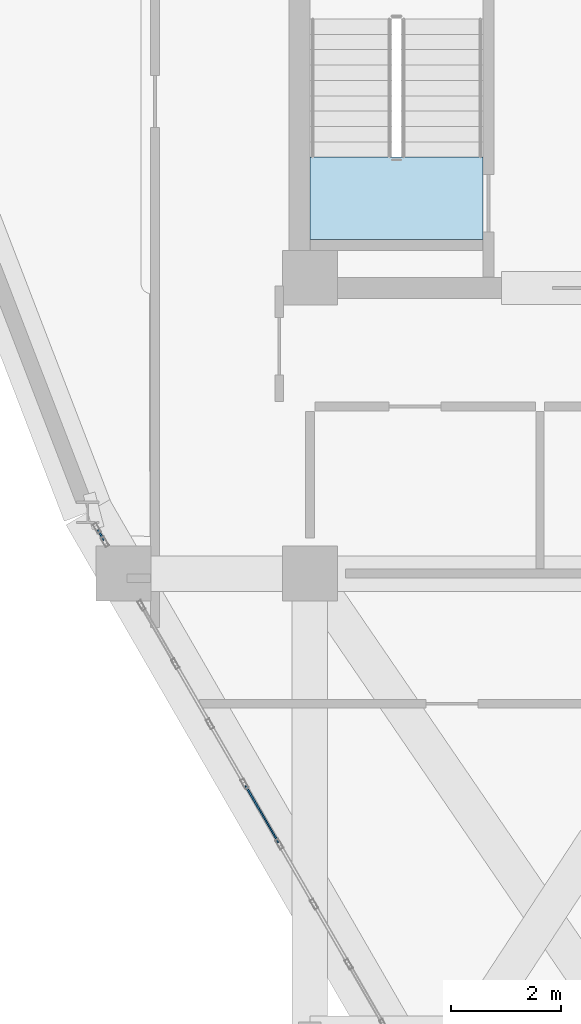
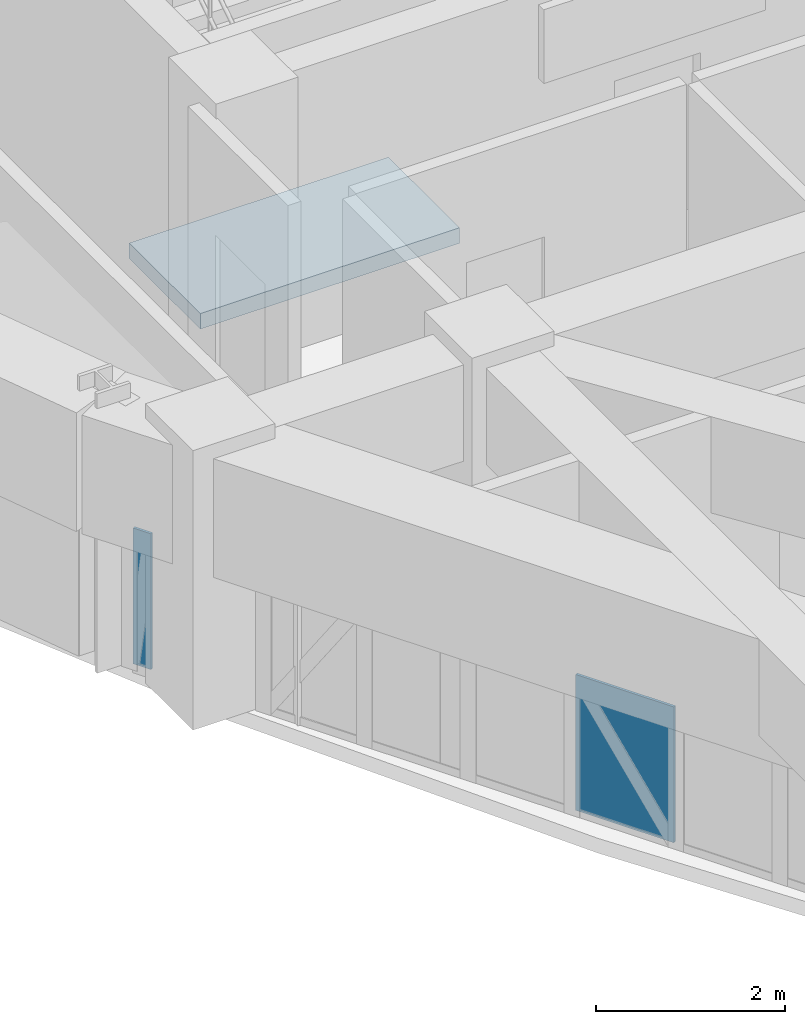
# One storey, part 12 of 16: 2 plates, 1 slab, 2 elements without a shape of their own.
"""IFC4 building model written with IfcOpenShell, lengths in metres."""

from ifc_helpers import new_model, si_unit, derived_unit, direction, frame, origin, origin_2d, place, context, subcontext, project, spatial, polyline, rectangle, outline, extrude, source, transform, mapped, material, layer, layer_set, type_object, element, aggregate, save


model = new_model("IFC4")

# Units and contexts
model_context = context("Model", 3, precision=1e-05, world=origin(), true_north=direction((0.0, 1.0)))
body_context = subcontext(model_context, "Body", "Model", "MODEL_VIEW")
ifc_project = project(units=[si_unit("LENGTHUNIT", "METRE"), si_unit("AREAUNIT", "SQUARE_METRE"), si_unit("VOLUMEUNIT", "CUBIC_METRE"), si_unit("PLANEANGLEUNIT", "RADIAN"), si_unit("MASSUNIT", "GRAM", prefix="KILO"), derived_unit("THERMALTRANSMITTANCEUNIT", [(si_unit("POWERUNIT", "WATT"), 1), (si_unit("LENGTHUNIT", "METRE"), -2), (si_unit("THERMODYNAMICTEMPERATUREUNIT", "KELVIN"), -1)])], contexts=[model_context])

# Site, building, storey
site_placement = place(None, origin())
site = spatial("IfcSite", under=ifc_project, at=site_placement, CompositionType="ELEMENT")
building_placement = place(site_placement, origin())
building = spatial("IfcBuilding", under=site, at=building_placement, Name="Korsvarv Bourse and Concert Hall", CompositionType="ELEMENT")
storey_placement = place(building_placement, frame((0.0, 0.0, 213.0)))
storey = spatial("IfcBuildingStorey", under=building, at=storey_placement, Name="L55", CompositionType="ELEMENT", Elevation=213.0)

# Slab
ifc_material_1 = material(Name="Precast concrete C45/55", Category="concrete")
ifc_layer_1 = layer(ifc_material_1, 0.199951171875)
ifc_layer_set_1 = layer_set([ifc_layer_1], Name="Precast concrete C45/55")
slab_type = type_object("IfcSlabType", Name="SLB-FLND-T", PredefinedType="LANDING", material=ifc_layer_set_1)
slab_placement = place(storey_placement, frame((0.0, 0.0, -0.199951171875)))
element("IfcSlab", 1, at=slab_placement, inside=storey, type_object=slab_type, Name="L55 Stair ST-T1 Floor Landing Slab", PredefinedType="LANDING", context=body_context, shape_type="SweptSolid", body=[
    extrude(outline(polyline([(30.760009765625, 38.5), (30.760009765625, 40.0), (27.60009765625, 40.0), (27.60009765625, 38.5), (30.760009765625, 38.5)])), origin(), (0.0, 0.0, 1.0), 0.199951171875),
])

# Curtain wall, plate
ifc_material_2 = material(Name="Anodised aluminium and triple low-E glazing", Category="glass")
ifc_layer_2 = layer(ifc_material_2, 0.199951171875)
ifc_layer_set_2 = layer_set([ifc_layer_2], Name="Anodised aluminium and triple low-E glazing")
curtain_wall_type = type_object("IfcCurtainWallType", Name="CW-SYS-3", PredefinedType="NOTDEFINED", material=ifc_layer_set_2)
curtain_wall_1_placement = place(storey_placement, origin())
curtain_wall_1 = element("IfcCurtainWall", 2, at=curtain_wall_1_placement, inside=storey, type_object=curtain_wall_type, Name="L55 CW3 curtain wall CW-L55-F07-1", PredefinedType="NOTDEFINED")
ifc_material_3 = material(Name="Insulated spandrel glass", Category="glass")
ifc_layer_3 = layer(ifc_material_3, 0.031982421875)
ifc_layer_set_3 = layer_set([ifc_layer_3], Name="Insulated spandrel glass")
plate_type = type_object("IfcPlateType", Name="CWP-SPD1", PredefinedType="CURTAIN_PANEL", material=ifc_layer_set_3)
shared_shape_1 = source(origin(), body_context, "Body", "SweptSolid", [
    extrude(rectangle(XDim=0.21826171875, YDim=0.031982421875, at=origin_2d()), origin(), (0.0, 0.0, 1.0), 1.75),
])
plate_1_placement = place(storey_placement, frame((23.786865234375, 33.105224609375, 0.06494140625), z_axis=(0.0, 0.0, 1.0), x_axis=(0.499891584645, -0.866087988372, 0.0)))
plate_1 = element("IfcPlate", 3, at=plate_1_placement, type_object=plate_type, Name="CW3 spandrel shadow-box panel 1.1", PredefinedType="CURTAIN_PANEL", context=body_context, shape_type="MappedRepresentation", body=[
    mapped(shared_shape_1, transform((0.0, 0.0, 0.0), scale=1.0)),
])
aggregate(curtain_wall_1, [plate_1])

curtain_wall_2_placement = place(storey_placement, origin())
curtain_wall_2 = element("IfcCurtainWall", 4, at=curtain_wall_2_placement, inside=storey, type_object=curtain_wall_type, Name="L55 CW3 curtain wall CW-L55-F07-2", PredefinedType="NOTDEFINED")
shared_shape_2 = source(origin(), body_context, "Body", "SweptSolid", [
    extrude(rectangle(XDim=1.196044921875, YDim=0.031982421875, at=origin_2d()), origin(), (0.0, 0.0, 1.0), 1.75),
])
plate_2_placement = place(storey_placement, frame((26.72705078125, 28.01220703125, 0.06494140625), z_axis=(0.0, 0.0, 1.0), x_axis=(0.49999877372, -0.866026111776, 0.0)))
plate_2 = element("IfcPlate", 5, at=plate_2_placement, type_object=plate_type, Name="CW3 spandrel shadow-box panel 4.1", PredefinedType="CURTAIN_PANEL", context=body_context, shape_type="MappedRepresentation", body=[
    mapped(shared_shape_2, transform((0.0, 0.0, 0.0), scale=1.0)),
])
aggregate(curtain_wall_2, [plate_2])

save(model, "model.ifc")
